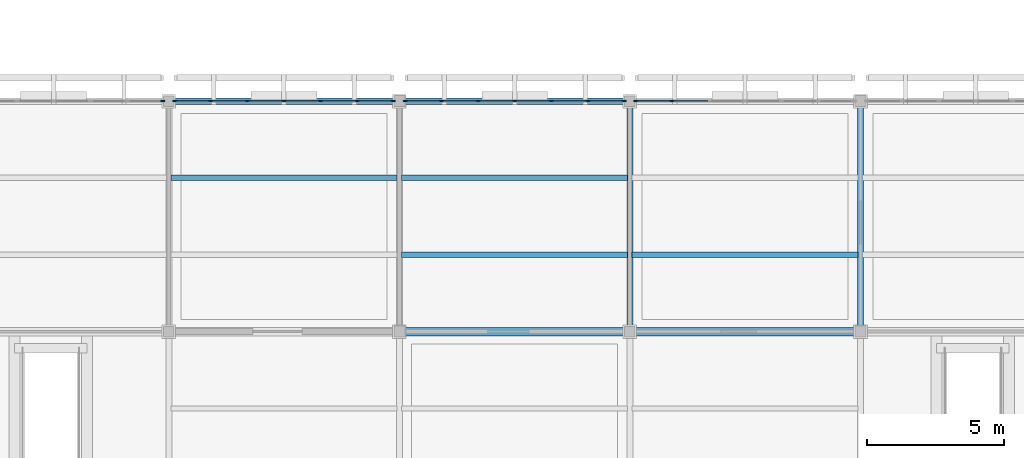
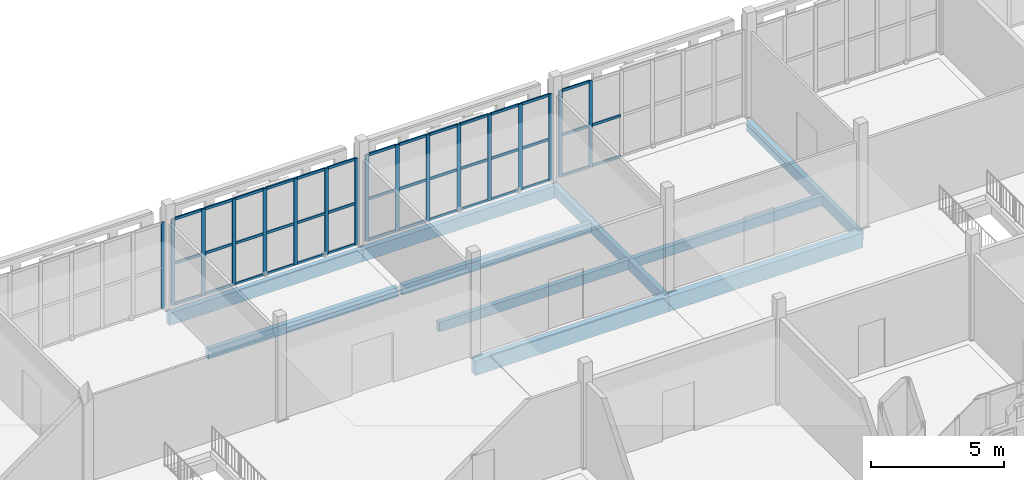
# One storey, part 36 of 203: 58 members, 10 beams, 4 elements without a shape of their own.
"""IFC4 building model written with IfcOpenShell, lengths in metres."""

from ifc_helpers import new_model, si_unit, direction, frame, origin, origin_2d, place, context, subcontext, project, spatial, rectangle, extrude, material, layer, layer_set, material_profile, profile_set, type_object, element, aggregate, save


model = new_model("IFC4")

# Units and contexts
model_context = context("Model", 3, precision=1e-05, world=origin(), true_north=direction((0.0, 1.0)))
body_context = subcontext(model_context, "Body", "Model", "MODEL_VIEW")
ifc_project = project(units=[si_unit("LENGTHUNIT", "METRE"), si_unit("AREAUNIT", "SQUARE_METRE"), si_unit("VOLUMEUNIT", "CUBIC_METRE"), si_unit("PLANEANGLEUNIT", "RADIAN"), si_unit("MASSUNIT", "GRAM", prefix="KILO")], contexts=[model_context])

# Site, building, storey
site_placement = place(None, origin())
site = spatial("IfcSite", under=ifc_project, at=site_placement, CompositionType="ELEMENT")
building_placement = place(site_placement, origin())
building = spatial("IfcBuilding", under=site, at=building_placement, Name="Varnapada Polytechnic", CompositionType="ELEMENT")
storey_placement = place(building_placement, frame((0.0, 0.0, 4.800048828125)))
storey = spatial("IfcBuildingStorey", under=building, at=storey_placement, Name="L01", CompositionType="ELEMENT", Elevation=4.800048828125)

# Beams
ifc_material_1 = material(Name="Glulam GL32h", Category="wood")
ifc_material_profile_1 = material_profile(ifc_material_1, rectangle(XDim=0.199951171875, YDim=0.43994140625, at=origin_2d()), Name="GL 200x440")
ifc_profile_set_1 = profile_set([ifc_material_profile_1], Name="Glulam GL32h")
beam_type_1 = type_object("IfcBeamType", Name="Heavy laboratory glulam joist GJ-03 (GL 200x440)", PredefinedType="JOIST", material=ifc_profile_set_1)
for number, where, z_axis, x_axis, name in (
    (1, (84.080078125, 39.199951171875, -0.469970703125), (1.0, 0.0, 0.0), (0.0, 1.0, 0.0), "L01 floor joist 11/5.2"),
    (2, (92.47998046875, 36.39990234375, -0.469970703125), (1.0, 0.0, 0.0), (0.0, 1.0, 0.0), "L01 floor joist 12/5.1"),
    (3, (92.47998046875, 39.199951171875, -0.469970703125), (1.0, 0.0, 0.0), (0.0, 1.0, 0.0), "L01 floor joist 12/5.2"),
):
    element("IfcBeam", number, at=place(storey_placement, frame(where, z_axis=z_axis, x_axis=x_axis)), inside=storey, type_object=beam_type_1, Name=name, PredefinedType="JOIST", context=body_context, shape_type="SweptSolid", body=[
        extrude(rectangle(XDim=0.199951171875, YDim=0.43994140625, at=origin_2d()), origin(), (0.0, 0.0, 1.0), 8.239990234375),
    ])
beam_1_placement = place(storey_placement, frame((100.8798828125, 36.39990234375, -0.469970703125), z_axis=(1.0, 0.0, 0.0), x_axis=(0.0, 1.0, 0.0)))
element("IfcBeam", 4, at=beam_1_placement, inside=storey, type_object=beam_type_1, Name="L01 floor joist 13/5.1", PredefinedType="JOIST", context=body_context, shape_type="SweptSolid", body=[
    extrude(rectangle(XDim=0.199951171875, YDim=0.43994140625, at=origin_2d()), origin(), (0.0, 0.0, 1.0), 8.240234375),
])

# Curtain wall, member
ifc_material_2 = material(Name="Double low-E laminated glass", Category="glass")
ifc_layer = layer(ifc_material_2, 0.159912109375)
ifc_layer_set = layer_set([ifc_layer], Name="Double low-E laminated glass")
curtain_wall_type = type_object("IfcCurtainWallType", Name="Curtain Wall CW-01", PredefinedType="NOTDEFINED", material=ifc_layer_set)
curtain_wall_1_placement = place(storey_placement, origin())
curtain_wall_1 = element("IfcCurtainWall", 5, at=curtain_wall_1_placement, inside=storey, type_object=curtain_wall_type, Name="L01 unitised curtain wall CW-01 (65)", PredefinedType="NOTDEFINED")
ifc_material_3 = material(Name="Anodised aluminium", Category="aluminium")
ifc_material_profile_2 = material_profile(ifc_material_3, rectangle(XDim=0.06005859375, YDim=0.159912109375, at=origin_2d()), Name="ALU M60x160")
ifc_profile_set_2 = profile_set([ifc_material_profile_2], Name="Anodised aluminium")
member_type_1 = type_object("IfcMemberType", Name="Mullion M-01", PredefinedType="MULLION", material=ifc_profile_set_2)
member_1_placement = place(storey_placement, frame((83.780029296875, 42.0, 0.0), z_axis=(0.0, 0.0, 1.0), x_axis=(0.0, 1.0, 0.0)))
member_1 = element("IfcMember", 6, at=member_1_placement, type_object=member_type_1, Name="CW-01 mullion 7", PredefinedType="MULLION", context=body_context, shape_type="SweptSolid", body=[
    extrude(rectangle(XDim=0.06005859375, YDim=0.159912109375, at=origin_2d()), origin(), (0.0, 0.0, 1.0), 3.9599609375),
])
aggregate(curtain_wall_1, [member_1])

# Curtain wall, members
curtain_wall_2_placement = place(storey_placement, origin())
curtain_wall_2 = element("IfcCurtainWall", 7, at=curtain_wall_2_placement, inside=storey, type_object=curtain_wall_type, Name="L01 unitised curtain wall CW-01 (70)", PredefinedType="NOTDEFINED")
member_2_placement = place(storey_placement, frame((84.219970703125, 42.0, 0.0), z_axis=(0.0, 0.0, 1.0), x_axis=(0.0, 1.0, 0.0)))
member_2 = element("IfcMember", 8, at=member_2_placement, type_object=member_type_1, Name="CW-01 mullion 1", PredefinedType="MULLION", context=body_context, shape_type="SweptSolid", body=[
    extrude(rectangle(XDim=0.06005859375, YDim=0.159912109375, at=origin_2d()), origin(), (0.0, 0.0, 1.0), 3.9599609375),
])
member_3_placement = place(storey_placement, frame((85.52490234375, 42.0, 0.0), z_axis=(0.0, 0.0, 1.0), x_axis=(0.0, 1.0, 0.0)))
member_3 = element("IfcMember", 9, at=member_3_placement, type_object=member_type_1, Name="CW-01 mullion 2", PredefinedType="MULLION", context=body_context, shape_type="SweptSolid", body=[
    extrude(rectangle(XDim=0.06005859375, YDim=0.159912109375, at=origin_2d()), origin(), (0.0, 0.0, 1.0), 3.9599609375),
])
member_4_placement = place(storey_placement, frame((86.860107421875, 42.0, 0.0), z_axis=(0.0, 0.0, 1.0), x_axis=(0.0, 1.0, 0.0)))
member_4 = element("IfcMember", 10, at=member_4_placement, type_object=member_type_1, Name="CW-01 mullion 3", PredefinedType="MULLION", context=body_context, shape_type="SweptSolid", body=[
    extrude(rectangle(XDim=0.06005859375, YDim=0.159912109375, at=origin_2d()), origin(), (0.0, 0.0, 1.0), 3.9599609375),
])
member_5_placement = place(storey_placement, frame((88.195068359375, 42.0, 0.0), z_axis=(0.0, 0.0, 1.0), x_axis=(0.0, 1.0, 0.0)))
member_5 = element("IfcMember", 11, at=member_5_placement, type_object=member_type_1, Name="CW-01 mullion 4", PredefinedType="MULLION", context=body_context, shape_type="SweptSolid", body=[
    extrude(rectangle(XDim=0.06005859375, YDim=0.159912109375, at=origin_2d()), origin(), (0.0, 0.0, 1.0), 3.9599609375),
])
member_6_placement = place(storey_placement, frame((89.530029296875, 42.0, 0.0), z_axis=(0.0, 0.0, 1.0), x_axis=(0.0, 1.0, 0.0)))
member_6 = element("IfcMember", 12, at=member_6_placement, type_object=member_type_1, Name="CW-01 mullion 5", PredefinedType="MULLION", context=body_context, shape_type="SweptSolid", body=[
    extrude(rectangle(XDim=0.06005859375, YDim=0.159912109375, at=origin_2d()), origin(), (0.0, 0.0, 1.0), 3.9599609375),
])
member_7_placement = place(storey_placement, frame((90.864990234375, 42.0, 0.0), z_axis=(0.0, 0.0, 1.0), x_axis=(0.0, 1.0, 0.0)))
member_7 = element("IfcMember", 13, at=member_7_placement, type_object=member_type_1, Name="CW-01 mullion 6", PredefinedType="MULLION", context=body_context, shape_type="SweptSolid", body=[
    extrude(rectangle(XDim=0.06005859375, YDim=0.159912109375, at=origin_2d()), origin(), (0.0, 0.0, 1.0), 3.9599609375),
])
member_8_placement = place(storey_placement, frame((92.169921875, 42.0, 0.0), z_axis=(0.0, 0.0, 1.0), x_axis=(0.0, 1.0, 0.0)))
member_8 = element("IfcMember", 14, at=member_8_placement, type_object=member_type_1, Name="CW-01 mullion 7", PredefinedType="MULLION", context=body_context, shape_type="SweptSolid", body=[
    extrude(rectangle(XDim=0.06005859375, YDim=0.159912109375, at=origin_2d()), origin(), (0.0, 0.0, 1.0), 3.9599609375),
])

curtain_wall_3_placement = place(storey_placement, origin())
curtain_wall_3 = element("IfcCurtainWall", 15, at=curtain_wall_3_placement, inside=storey, type_object=curtain_wall_type, Name="L01 unitised curtain wall CW-01 (75)", PredefinedType="NOTDEFINED")
member_9_placement = place(storey_placement, frame((92.6298828125, 42.0, 0.0), z_axis=(0.0, 0.0, 1.0), x_axis=(0.0, 1.0, 0.0)))
member_9 = element("IfcMember", 16, at=member_9_placement, type_object=member_type_1, Name="CW-01 mullion 1", PredefinedType="MULLION", context=body_context, shape_type="SweptSolid", body=[
    extrude(rectangle(XDim=0.06005859375, YDim=0.159912109375, at=origin_2d()), origin(), (0.0, 0.0, 1.0), 3.9599609375),
])
member_10_placement = place(storey_placement, frame((93.93505859375, 42.0, 0.0), z_axis=(0.0, 0.0, 1.0), x_axis=(0.0, 1.0, 0.0)))
member_10 = element("IfcMember", 17, at=member_10_placement, type_object=member_type_1, Name="CW-01 mullion 2", PredefinedType="MULLION", context=body_context, shape_type="SweptSolid", body=[
    extrude(rectangle(XDim=0.06005859375, YDim=0.159912109375, at=origin_2d()), origin(), (0.0, 0.0, 1.0), 3.9599609375),
])
member_11_placement = place(storey_placement, frame((95.27001953125, 42.0, 0.0), z_axis=(0.0, 0.0, 1.0), x_axis=(0.0, 1.0, 0.0)))
member_11 = element("IfcMember", 18, at=member_11_placement, type_object=member_type_1, Name="CW-01 mullion 3", PredefinedType="MULLION", context=body_context, shape_type="SweptSolid", body=[
    extrude(rectangle(XDim=0.06005859375, YDim=0.159912109375, at=origin_2d()), origin(), (0.0, 0.0, 1.0), 3.9599609375),
])
member_12_placement = place(storey_placement, frame((96.60498046875, 42.0, 0.0), z_axis=(0.0, 0.0, 1.0), x_axis=(0.0, 1.0, 0.0)))
member_12 = element("IfcMember", 19, at=member_12_placement, type_object=member_type_1, Name="CW-01 mullion 4", PredefinedType="MULLION", context=body_context, shape_type="SweptSolid", body=[
    extrude(rectangle(XDim=0.06005859375, YDim=0.159912109375, at=origin_2d()), origin(), (0.0, 0.0, 1.0), 3.9599609375),
])
member_13_placement = place(storey_placement, frame((97.93994140625, 42.0, 0.0), z_axis=(0.0, 0.0, 1.0), x_axis=(0.0, 1.0, 0.0)))
member_13 = element("IfcMember", 20, at=member_13_placement, type_object=member_type_1, Name="CW-01 mullion 5", PredefinedType="MULLION", context=body_context, shape_type="SweptSolid", body=[
    extrude(rectangle(XDim=0.06005859375, YDim=0.159912109375, at=origin_2d()), origin(), (0.0, 0.0, 1.0), 3.9599609375),
])
member_14_placement = place(storey_placement, frame((99.27490234375, 42.0, 0.0), z_axis=(0.0, 0.0, 1.0), x_axis=(0.0, 1.0, 0.0)))
member_14 = element("IfcMember", 21, at=member_14_placement, type_object=member_type_1, Name="CW-01 mullion 6", PredefinedType="MULLION", context=body_context, shape_type="SweptSolid", body=[
    extrude(rectangle(XDim=0.06005859375, YDim=0.159912109375, at=origin_2d()), origin(), (0.0, 0.0, 1.0), 3.9599609375),
])
member_15_placement = place(storey_placement, frame((100.580078125, 42.0, 0.0), z_axis=(0.0, 0.0, 1.0), x_axis=(0.0, 1.0, 0.0)))
member_15 = element("IfcMember", 22, at=member_15_placement, type_object=member_type_1, Name="CW-01 mullion 7", PredefinedType="MULLION", context=body_context, shape_type="SweptSolid", body=[
    extrude(rectangle(XDim=0.06005859375, YDim=0.159912109375, at=origin_2d()), origin(), (0.0, 0.0, 1.0), 3.9599609375),
])

curtain_wall_4_placement = place(storey_placement, origin())
curtain_wall_4 = element("IfcCurtainWall", 23, at=curtain_wall_4_placement, inside=storey, type_object=curtain_wall_type, Name="L01 unitised curtain wall CW-01 (79)", PredefinedType="NOTDEFINED")
member_16_placement = place(storey_placement, frame((101.02001953125, 42.0, 0.0), z_axis=(0.0, 0.0, 1.0), x_axis=(0.0, 1.0, 0.0)))
member_16 = element("IfcMember", 24, at=member_16_placement, type_object=member_type_1, Name="CW-01 mullion 1", PredefinedType="MULLION", context=body_context, shape_type="SweptSolid", body=[
    extrude(rectangle(XDim=0.06005859375, YDim=0.159912109375, at=origin_2d()), origin(), (0.0, 0.0, 1.0), 3.9599609375),
])
member_17_placement = place(storey_placement, frame((102.324951171875, 42.0, 0.0), z_axis=(0.0, 0.0, 1.0), x_axis=(0.0, 1.0, 0.0)))
member_17 = element("IfcMember", 25, at=member_17_placement, type_object=member_type_1, Name="CW-01 mullion 2", PredefinedType="MULLION", context=body_context, shape_type="SweptSolid", body=[
    extrude(rectangle(XDim=0.06005859375, YDim=0.159912109375, at=origin_2d()), origin(), (0.0, 0.0, 1.0), 3.9599609375),
])

# Beams
ifc_material_profile_3 = material_profile(ifc_material_1, rectangle(XDim=0.239990234375, YDim=0.56005859375, at=origin_2d()), Name="GL 240x560")
ifc_profile_set_3 = profile_set([ifc_material_profile_3], Name="Glulam GL32h")
beam_type_2 = type_object("IfcBeamType", Name="Perimeter glulam spandrel beam SP-02 (GL 240x560)", PredefinedType="SPANDREL", material=ifc_profile_set_3)
beam_2_placement = place(storey_placement, frame((84.0, 42.0, -0.530029296875), z_axis=(1.0, 0.0, 0.0), x_axis=(0.0, 1.0, 0.0)))
element("IfcBeam", 26, at=beam_2_placement, inside=storey, type_object=beam_type_2, Name="L01 beam X 11-12 at Y6", PredefinedType="SPANDREL", context=body_context, shape_type="SweptSolid", body=[
    extrude(rectangle(XDim=0.239990234375, YDim=0.56005859375, at=origin_2d()), origin(), (0.0, 0.0, 1.0), 8.39990234375),
])
beam_3_placement = place(storey_placement, frame((92.39990234375, 42.0, -0.530029296875), z_axis=(1.0, 0.0, 0.0), x_axis=(0.0, 1.0, 0.0)))
element("IfcBeam", 27, at=beam_3_placement, inside=storey, type_object=beam_type_2, Name="L01 beam X 12-13 at Y6", PredefinedType="SPANDREL", context=body_context, shape_type="SweptSolid", body=[
    extrude(rectangle(XDim=0.239990234375, YDim=0.56005859375, at=origin_2d()), origin(), (0.0, 0.0, 1.0), 8.400146484375),
])

# Member
ifc_material_profile_4 = material_profile(ifc_material_3, rectangle(XDim=0.06005859375, YDim=0.1201171875, at=origin_2d()), Name="ALU T60x120")
ifc_profile_set_4 = profile_set([ifc_material_profile_4], Name="Anodised aluminium")
member_type_2 = type_object("IfcMemberType", Name="Transom T-01", PredefinedType="USERDEFINED", material=ifc_profile_set_4)
member_18_placement = place(storey_placement, frame((84.25, 42.0, 0.030029296875), z_axis=(1.0, 0.0, 0.0), x_axis=(0.0, 1.0, 0.0)))
member_18 = element("IfcMember", 28, at=member_18_placement, type_object=member_type_2, Name="CW-01 transom 1.1", ObjectType="TRANSOM", PredefinedType="USERDEFINED", context=body_context, shape_type="SweptSolid", body=[
    extrude(rectangle(XDim=0.06005859375, YDim=0.1201171875, at=origin_2d()), origin(), (0.0, 0.0, 1.0), 1.2451171875),
])

member_19_placement = place(storey_placement, frame((84.25, 42.0, 1.900634765625), z_axis=(1.0, 0.0, 0.0), x_axis=(0.0, 1.0, 0.0)))
member_19 = element("IfcMember", 29, at=member_19_placement, type_object=member_type_2, Name="CW-01 transom 1.2", ObjectType="TRANSOM", PredefinedType="USERDEFINED", context=body_context, shape_type="SweptSolid", body=[
    extrude(rectangle(XDim=0.06005859375, YDim=0.1201171875, at=origin_2d()), origin(), (0.0, 0.0, 1.0), 1.2451171875),
])

member_20_placement = place(storey_placement, frame((84.25, 42.0, 3.929931640625), z_axis=(1.0, 0.0, 0.0), x_axis=(0.0, 1.0, 0.0)))
member_20 = element("IfcMember", 30, at=member_20_placement, type_object=member_type_2, Name="CW-01 transom 1.3", ObjectType="TRANSOM", PredefinedType="USERDEFINED", context=body_context, shape_type="SweptSolid", body=[
    extrude(rectangle(XDim=0.06005859375, YDim=0.1201171875, at=origin_2d()), origin(), (0.0, 0.0, 1.0), 1.2451171875),
])

member_21_placement = place(storey_placement, frame((85.554931640625, 42.0, 0.030029296875), z_axis=(1.0, 0.0, 0.0), x_axis=(0.0, 1.0, 0.0)))
member_21 = element("IfcMember", 31, at=member_21_placement, type_object=member_type_2, Name="CW-01 transom 2.1", ObjectType="TRANSOM", PredefinedType="USERDEFINED", context=body_context, shape_type="SweptSolid", body=[
    extrude(rectangle(XDim=0.06005859375, YDim=0.1201171875, at=origin_2d()), origin(), (0.0, 0.0, 1.0), 1.275146484375),
])

member_22_placement = place(storey_placement, frame((85.554931640625, 42.0, 1.900634765625), z_axis=(1.0, 0.0, 0.0), x_axis=(0.0, 1.0, 0.0)))
member_22 = element("IfcMember", 32, at=member_22_placement, type_object=member_type_2, Name="CW-01 transom 2.2", ObjectType="TRANSOM", PredefinedType="USERDEFINED", context=body_context, shape_type="SweptSolid", body=[
    extrude(rectangle(XDim=0.06005859375, YDim=0.1201171875, at=origin_2d()), origin(), (0.0, 0.0, 1.0), 1.275146484375),
])

member_23_placement = place(storey_placement, frame((85.554931640625, 42.0, 3.929931640625), z_axis=(1.0, 0.0, 0.0), x_axis=(0.0, 1.0, 0.0)))
member_23 = element("IfcMember", 33, at=member_23_placement, type_object=member_type_2, Name="CW-01 transom 2.3", ObjectType="TRANSOM", PredefinedType="USERDEFINED", context=body_context, shape_type="SweptSolid", body=[
    extrude(rectangle(XDim=0.06005859375, YDim=0.1201171875, at=origin_2d()), origin(), (0.0, 0.0, 1.0), 1.275146484375),
])

member_24_placement = place(storey_placement, frame((86.889892578125, 42.0, 0.030029296875), z_axis=(1.0, 0.0, 0.0), x_axis=(0.0, 1.0, 0.0)))
member_24 = element("IfcMember", 34, at=member_24_placement, type_object=member_type_2, Name="CW-01 transom 3.1", ObjectType="TRANSOM", PredefinedType="USERDEFINED", context=body_context, shape_type="SweptSolid", body=[
    extrude(rectangle(XDim=0.06005859375, YDim=0.1201171875, at=origin_2d()), origin(), (0.0, 0.0, 1.0), 1.275146484375),
])

member_25_placement = place(storey_placement, frame((86.889892578125, 42.0, 1.900634765625), z_axis=(1.0, 0.0, 0.0), x_axis=(0.0, 1.0, 0.0)))
member_25 = element("IfcMember", 35, at=member_25_placement, type_object=member_type_2, Name="CW-01 transom 3.2", ObjectType="TRANSOM", PredefinedType="USERDEFINED", context=body_context, shape_type="SweptSolid", body=[
    extrude(rectangle(XDim=0.06005859375, YDim=0.1201171875, at=origin_2d()), origin(), (0.0, 0.0, 1.0), 1.275146484375),
])

member_26_placement = place(storey_placement, frame((86.889892578125, 42.0, 3.929931640625), z_axis=(1.0, 0.0, 0.0), x_axis=(0.0, 1.0, 0.0)))
member_26 = element("IfcMember", 36, at=member_26_placement, type_object=member_type_2, Name="CW-01 transom 3.3", ObjectType="TRANSOM", PredefinedType="USERDEFINED", context=body_context, shape_type="SweptSolid", body=[
    extrude(rectangle(XDim=0.06005859375, YDim=0.1201171875, at=origin_2d()), origin(), (0.0, 0.0, 1.0), 1.275146484375),
])

member_27_placement = place(storey_placement, frame((88.22509765625, 42.0, 0.030029296875), z_axis=(1.0, 0.0, 0.0), x_axis=(0.0, 1.0, 0.0)))
member_27 = element("IfcMember", 37, at=member_27_placement, type_object=member_type_2, Name="CW-01 transom 4.1", ObjectType="TRANSOM", PredefinedType="USERDEFINED", context=body_context, shape_type="SweptSolid", body=[
    extrude(rectangle(XDim=0.06005859375, YDim=0.1201171875, at=origin_2d()), origin(), (0.0, 0.0, 1.0), 1.27490234375),
])

member_28_placement = place(storey_placement, frame((88.22509765625, 42.0, 1.900634765625), z_axis=(1.0, 0.0, 0.0), x_axis=(0.0, 1.0, 0.0)))
member_28 = element("IfcMember", 38, at=member_28_placement, type_object=member_type_2, Name="CW-01 transom 4.2", ObjectType="TRANSOM", PredefinedType="USERDEFINED", context=body_context, shape_type="SweptSolid", body=[
    extrude(rectangle(XDim=0.06005859375, YDim=0.1201171875, at=origin_2d()), origin(), (0.0, 0.0, 1.0), 1.27490234375),
])

member_29_placement = place(storey_placement, frame((88.22509765625, 42.0, 3.929931640625), z_axis=(1.0, 0.0, 0.0), x_axis=(0.0, 1.0, 0.0)))
member_29 = element("IfcMember", 39, at=member_29_placement, type_object=member_type_2, Name="CW-01 transom 4.3", ObjectType="TRANSOM", PredefinedType="USERDEFINED", context=body_context, shape_type="SweptSolid", body=[
    extrude(rectangle(XDim=0.06005859375, YDim=0.1201171875, at=origin_2d()), origin(), (0.0, 0.0, 1.0), 1.27490234375),
])

member_30_placement = place(storey_placement, frame((89.56005859375, 42.0, 0.030029296875), z_axis=(1.0, 0.0, 0.0), x_axis=(0.0, 1.0, 0.0)))
member_30 = element("IfcMember", 40, at=member_30_placement, type_object=member_type_2, Name="CW-01 transom 5.1", ObjectType="TRANSOM", PredefinedType="USERDEFINED", context=body_context, shape_type="SweptSolid", body=[
    extrude(rectangle(XDim=0.06005859375, YDim=0.1201171875, at=origin_2d()), origin(), (0.0, 0.0, 1.0), 1.27490234375),
])

member_31_placement = place(storey_placement, frame((89.56005859375, 42.0, 1.900634765625), z_axis=(1.0, 0.0, 0.0), x_axis=(0.0, 1.0, 0.0)))
member_31 = element("IfcMember", 41, at=member_31_placement, type_object=member_type_2, Name="CW-01 transom 5.2", ObjectType="TRANSOM", PredefinedType="USERDEFINED", context=body_context, shape_type="SweptSolid", body=[
    extrude(rectangle(XDim=0.06005859375, YDim=0.1201171875, at=origin_2d()), origin(), (0.0, 0.0, 1.0), 1.27490234375),
])

member_32_placement = place(storey_placement, frame((89.56005859375, 42.0, 3.929931640625), z_axis=(1.0, 0.0, 0.0), x_axis=(0.0, 1.0, 0.0)))
member_32 = element("IfcMember", 42, at=member_32_placement, type_object=member_type_2, Name="CW-01 transom 5.3", ObjectType="TRANSOM", PredefinedType="USERDEFINED", context=body_context, shape_type="SweptSolid", body=[
    extrude(rectangle(XDim=0.06005859375, YDim=0.1201171875, at=origin_2d()), origin(), (0.0, 0.0, 1.0), 1.27490234375),
])

member_33_placement = place(storey_placement, frame((90.89501953125, 42.0, 0.030029296875), z_axis=(1.0, 0.0, 0.0), x_axis=(0.0, 1.0, 0.0)))
member_33 = element("IfcMember", 43, at=member_33_placement, type_object=member_type_2, Name="CW-01 transom 6.1", ObjectType="TRANSOM", PredefinedType="USERDEFINED", context=body_context, shape_type="SweptSolid", body=[
    extrude(rectangle(XDim=0.06005859375, YDim=0.1201171875, at=origin_2d()), origin(), (0.0, 0.0, 1.0), 1.244873046875),
])

member_34_placement = place(storey_placement, frame((90.89501953125, 42.0, 1.900634765625), z_axis=(1.0, 0.0, 0.0), x_axis=(0.0, 1.0, 0.0)))
member_34 = element("IfcMember", 44, at=member_34_placement, type_object=member_type_2, Name="CW-01 transom 6.2", ObjectType="TRANSOM", PredefinedType="USERDEFINED", context=body_context, shape_type="SweptSolid", body=[
    extrude(rectangle(XDim=0.06005859375, YDim=0.1201171875, at=origin_2d()), origin(), (0.0, 0.0, 1.0), 1.244873046875),
])

member_35_placement = place(storey_placement, frame((90.89501953125, 42.0, 3.929931640625), z_axis=(1.0, 0.0, 0.0), x_axis=(0.0, 1.0, 0.0)))
member_35 = element("IfcMember", 45, at=member_35_placement, type_object=member_type_2, Name="CW-01 transom 6.3", ObjectType="TRANSOM", PredefinedType="USERDEFINED", context=body_context, shape_type="SweptSolid", body=[
    extrude(rectangle(XDim=0.06005859375, YDim=0.1201171875, at=origin_2d()), origin(), (0.0, 0.0, 1.0), 1.244873046875),
])

aggregate(curtain_wall_2, [member_2, member_3, member_4, member_5, member_6, member_7, member_8, member_18, member_19, member_20, member_21, member_22, member_23, member_24, member_25, member_26, member_27, member_28, member_29, member_30, member_31, member_32, member_33, member_34, member_35])

member_36_placement = place(storey_placement, frame((92.659912109375, 42.0, 0.030029296875), z_axis=(1.0, 0.0, 0.0), x_axis=(0.0, 1.0, 0.0)))
member_36 = element("IfcMember", 46, at=member_36_placement, type_object=member_type_2, Name="CW-01 transom 1.1", ObjectType="TRANSOM", PredefinedType="USERDEFINED", context=body_context, shape_type="SweptSolid", body=[
    extrude(rectangle(XDim=0.06005859375, YDim=0.1201171875, at=origin_2d()), origin(), (0.0, 0.0, 1.0), 1.2451171875),
])

member_37_placement = place(storey_placement, frame((92.659912109375, 42.0, 1.900634765625), z_axis=(1.0, 0.0, 0.0), x_axis=(0.0, 1.0, 0.0)))
member_37 = element("IfcMember", 47, at=member_37_placement, type_object=member_type_2, Name="CW-01 transom 1.2", ObjectType="TRANSOM", PredefinedType="USERDEFINED", context=body_context, shape_type="SweptSolid", body=[
    extrude(rectangle(XDim=0.06005859375, YDim=0.1201171875, at=origin_2d()), origin(), (0.0, 0.0, 1.0), 1.2451171875),
])

member_38_placement = place(storey_placement, frame((92.659912109375, 42.0, 3.929931640625), z_axis=(1.0, 0.0, 0.0), x_axis=(0.0, 1.0, 0.0)))
member_38 = element("IfcMember", 48, at=member_38_placement, type_object=member_type_2, Name="CW-01 transom 1.3", ObjectType="TRANSOM", PredefinedType="USERDEFINED", context=body_context, shape_type="SweptSolid", body=[
    extrude(rectangle(XDim=0.06005859375, YDim=0.1201171875, at=origin_2d()), origin(), (0.0, 0.0, 1.0), 1.2451171875),
])

member_39_placement = place(storey_placement, frame((93.965087890625, 42.0, 0.030029296875), z_axis=(1.0, 0.0, 0.0), x_axis=(0.0, 1.0, 0.0)))
member_39 = element("IfcMember", 49, at=member_39_placement, type_object=member_type_2, Name="CW-01 transom 2.1", ObjectType="TRANSOM", PredefinedType="USERDEFINED", context=body_context, shape_type="SweptSolid", body=[
    extrude(rectangle(XDim=0.06005859375, YDim=0.1201171875, at=origin_2d()), origin(), (0.0, 0.0, 1.0), 1.27490234375),
])

member_40_placement = place(storey_placement, frame((93.965087890625, 42.0, 1.900634765625), z_axis=(1.0, 0.0, 0.0), x_axis=(0.0, 1.0, 0.0)))
member_40 = element("IfcMember", 50, at=member_40_placement, type_object=member_type_2, Name="CW-01 transom 2.2", ObjectType="TRANSOM", PredefinedType="USERDEFINED", context=body_context, shape_type="SweptSolid", body=[
    extrude(rectangle(XDim=0.06005859375, YDim=0.1201171875, at=origin_2d()), origin(), (0.0, 0.0, 1.0), 1.27490234375),
])

member_41_placement = place(storey_placement, frame((93.965087890625, 42.0, 3.929931640625), z_axis=(1.0, 0.0, 0.0), x_axis=(0.0, 1.0, 0.0)))
member_41 = element("IfcMember", 51, at=member_41_placement, type_object=member_type_2, Name="CW-01 transom 2.3", ObjectType="TRANSOM", PredefinedType="USERDEFINED", context=body_context, shape_type="SweptSolid", body=[
    extrude(rectangle(XDim=0.06005859375, YDim=0.1201171875, at=origin_2d()), origin(), (0.0, 0.0, 1.0), 1.27490234375),
])

member_42_placement = place(storey_placement, frame((95.300048828125, 42.0, 0.030029296875), z_axis=(1.0, 0.0, 0.0), x_axis=(0.0, 1.0, 0.0)))
member_42 = element("IfcMember", 52, at=member_42_placement, type_object=member_type_2, Name="CW-01 transom 3.1", ObjectType="TRANSOM", PredefinedType="USERDEFINED", context=body_context, shape_type="SweptSolid", body=[
    extrude(rectangle(XDim=0.06005859375, YDim=0.1201171875, at=origin_2d()), origin(), (0.0, 0.0, 1.0), 1.27490234375),
])

member_43_placement = place(storey_placement, frame((95.300048828125, 42.0, 1.900634765625), z_axis=(1.0, 0.0, 0.0), x_axis=(0.0, 1.0, 0.0)))
member_43 = element("IfcMember", 53, at=member_43_placement, type_object=member_type_2, Name="CW-01 transom 3.2", ObjectType="TRANSOM", PredefinedType="USERDEFINED", context=body_context, shape_type="SweptSolid", body=[
    extrude(rectangle(XDim=0.06005859375, YDim=0.1201171875, at=origin_2d()), origin(), (0.0, 0.0, 1.0), 1.27490234375),
])

member_44_placement = place(storey_placement, frame((95.300048828125, 42.0, 3.929931640625), z_axis=(1.0, 0.0, 0.0), x_axis=(0.0, 1.0, 0.0)))
member_44 = element("IfcMember", 54, at=member_44_placement, type_object=member_type_2, Name="CW-01 transom 3.3", ObjectType="TRANSOM", PredefinedType="USERDEFINED", context=body_context, shape_type="SweptSolid", body=[
    extrude(rectangle(XDim=0.06005859375, YDim=0.1201171875, at=origin_2d()), origin(), (0.0, 0.0, 1.0), 1.27490234375),
])

member_45_placement = place(storey_placement, frame((96.635009765625, 42.0, 0.030029296875), z_axis=(1.0, 0.0, 0.0), x_axis=(0.0, 1.0, 0.0)))
member_45 = element("IfcMember", 55, at=member_45_placement, type_object=member_type_2, Name="CW-01 transom 4.1", ObjectType="TRANSOM", PredefinedType="USERDEFINED", context=body_context, shape_type="SweptSolid", body=[
    extrude(rectangle(XDim=0.06005859375, YDim=0.1201171875, at=origin_2d()), origin(), (0.0, 0.0, 1.0), 1.27490234375),
])

member_46_placement = place(storey_placement, frame((96.635009765625, 42.0, 1.900634765625), z_axis=(1.0, 0.0, 0.0), x_axis=(0.0, 1.0, 0.0)))
member_46 = element("IfcMember", 56, at=member_46_placement, type_object=member_type_2, Name="CW-01 transom 4.2", ObjectType="TRANSOM", PredefinedType="USERDEFINED", context=body_context, shape_type="SweptSolid", body=[
    extrude(rectangle(XDim=0.06005859375, YDim=0.1201171875, at=origin_2d()), origin(), (0.0, 0.0, 1.0), 1.27490234375),
])

member_47_placement = place(storey_placement, frame((96.635009765625, 42.0, 3.929931640625), z_axis=(1.0, 0.0, 0.0), x_axis=(0.0, 1.0, 0.0)))
member_47 = element("IfcMember", 57, at=member_47_placement, type_object=member_type_2, Name="CW-01 transom 4.3", ObjectType="TRANSOM", PredefinedType="USERDEFINED", context=body_context, shape_type="SweptSolid", body=[
    extrude(rectangle(XDim=0.06005859375, YDim=0.1201171875, at=origin_2d()), origin(), (0.0, 0.0, 1.0), 1.27490234375),
])

member_48_placement = place(storey_placement, frame((97.969970703125, 42.0, 0.030029296875), z_axis=(1.0, 0.0, 0.0), x_axis=(0.0, 1.0, 0.0)))
member_48 = element("IfcMember", 58, at=member_48_placement, type_object=member_type_2, Name="CW-01 transom 5.1", ObjectType="TRANSOM", PredefinedType="USERDEFINED", context=body_context, shape_type="SweptSolid", body=[
    extrude(rectangle(XDim=0.06005859375, YDim=0.1201171875, at=origin_2d()), origin(), (0.0, 0.0, 1.0), 1.275146484375),
])

member_49_placement = place(storey_placement, frame((97.969970703125, 42.0, 1.900634765625), z_axis=(1.0, 0.0, 0.0), x_axis=(0.0, 1.0, 0.0)))
member_49 = element("IfcMember", 59, at=member_49_placement, type_object=member_type_2, Name="CW-01 transom 5.2", ObjectType="TRANSOM", PredefinedType="USERDEFINED", context=body_context, shape_type="SweptSolid", body=[
    extrude(rectangle(XDim=0.06005859375, YDim=0.1201171875, at=origin_2d()), origin(), (0.0, 0.0, 1.0), 1.275146484375),
])

member_50_placement = place(storey_placement, frame((97.969970703125, 42.0, 3.929931640625), z_axis=(1.0, 0.0, 0.0), x_axis=(0.0, 1.0, 0.0)))
member_50 = element("IfcMember", 60, at=member_50_placement, type_object=member_type_2, Name="CW-01 transom 5.3", ObjectType="TRANSOM", PredefinedType="USERDEFINED", context=body_context, shape_type="SweptSolid", body=[
    extrude(rectangle(XDim=0.06005859375, YDim=0.1201171875, at=origin_2d()), origin(), (0.0, 0.0, 1.0), 1.275146484375),
])

member_51_placement = place(storey_placement, frame((99.304931640625, 42.0, 0.030029296875), z_axis=(1.0, 0.0, 0.0), x_axis=(0.0, 1.0, 0.0)))
member_51 = element("IfcMember", 61, at=member_51_placement, type_object=member_type_2, Name="CW-01 transom 6.1", ObjectType="TRANSOM", PredefinedType="USERDEFINED", context=body_context, shape_type="SweptSolid", body=[
    extrude(rectangle(XDim=0.06005859375, YDim=0.1201171875, at=origin_2d()), origin(), (0.0, 0.0, 1.0), 1.2451171875),
])

member_52_placement = place(storey_placement, frame((99.304931640625, 42.0, 1.900634765625), z_axis=(1.0, 0.0, 0.0), x_axis=(0.0, 1.0, 0.0)))
member_52 = element("IfcMember", 62, at=member_52_placement, type_object=member_type_2, Name="CW-01 transom 6.2", ObjectType="TRANSOM", PredefinedType="USERDEFINED", context=body_context, shape_type="SweptSolid", body=[
    extrude(rectangle(XDim=0.06005859375, YDim=0.1201171875, at=origin_2d()), origin(), (0.0, 0.0, 1.0), 1.2451171875),
])

member_53_placement = place(storey_placement, frame((99.304931640625, 42.0, 3.929931640625), z_axis=(1.0, 0.0, 0.0), x_axis=(0.0, 1.0, 0.0)))
member_53 = element("IfcMember", 63, at=member_53_placement, type_object=member_type_2, Name="CW-01 transom 6.3", ObjectType="TRANSOM", PredefinedType="USERDEFINED", context=body_context, shape_type="SweptSolid", body=[
    extrude(rectangle(XDim=0.06005859375, YDim=0.1201171875, at=origin_2d()), origin(), (0.0, 0.0, 1.0), 1.2451171875),
])

aggregate(curtain_wall_3, [member_9, member_10, member_11, member_12, member_13, member_14, member_15, member_36, member_37, member_38, member_39, member_40, member_41, member_42, member_43, member_44, member_45, member_46, member_47, member_48, member_49, member_50, member_51, member_52, member_53])

member_54_placement = place(storey_placement, frame((101.050048828125, 42.0, 0.030029296875), z_axis=(1.0, 0.0, 0.0), x_axis=(0.0, 1.0, 0.0)))
member_54 = element("IfcMember", 64, at=member_54_placement, type_object=member_type_2, Name="CW-01 transom 1.1", ObjectType="TRANSOM", PredefinedType="USERDEFINED", context=body_context, shape_type="SweptSolid", body=[
    extrude(rectangle(XDim=0.06005859375, YDim=0.1201171875, at=origin_2d()), origin(), (0.0, 0.0, 1.0), 1.244873046875),
])

member_55_placement = place(storey_placement, frame((101.050048828125, 42.0, 1.900634765625), z_axis=(1.0, 0.0, 0.0), x_axis=(0.0, 1.0, 0.0)))
member_55 = element("IfcMember", 65, at=member_55_placement, type_object=member_type_2, Name="CW-01 transom 1.2", ObjectType="TRANSOM", PredefinedType="USERDEFINED", context=body_context, shape_type="SweptSolid", body=[
    extrude(rectangle(XDim=0.06005859375, YDim=0.1201171875, at=origin_2d()), origin(), (0.0, 0.0, 1.0), 1.244873046875),
])

member_56_placement = place(storey_placement, frame((101.050048828125, 42.0, 3.929931640625), z_axis=(1.0, 0.0, 0.0), x_axis=(0.0, 1.0, 0.0)))
member_56 = element("IfcMember", 66, at=member_56_placement, type_object=member_type_2, Name="CW-01 transom 1.3", ObjectType="TRANSOM", PredefinedType="USERDEFINED", context=body_context, shape_type="SweptSolid", body=[
    extrude(rectangle(XDim=0.06005859375, YDim=0.1201171875, at=origin_2d()), origin(), (0.0, 0.0, 1.0), 1.244873046875),
])

member_57_placement = place(storey_placement, frame((102.35498046875, 42.0, 0.030029296875), z_axis=(1.0, 0.0, 0.0), x_axis=(0.0, 1.0, 0.0)))
member_57 = element("IfcMember", 67, at=member_57_placement, type_object=member_type_2, Name="CW-01 transom 2.1", ObjectType="TRANSOM", PredefinedType="USERDEFINED", context=body_context, shape_type="SweptSolid", body=[
    extrude(rectangle(XDim=0.06005859375, YDim=0.1201171875, at=origin_2d()), origin(), (0.0, 0.0, 1.0), 1.27490234375),
])

member_58_placement = place(storey_placement, frame((102.35498046875, 42.0, 1.900634765625), z_axis=(1.0, 0.0, 0.0), x_axis=(0.0, 1.0, 0.0)))
member_58 = element("IfcMember", 68, at=member_58_placement, type_object=member_type_2, Name="CW-01 transom 2.2", ObjectType="TRANSOM", PredefinedType="USERDEFINED", context=body_context, shape_type="SweptSolid", body=[
    extrude(rectangle(XDim=0.06005859375, YDim=0.1201171875, at=origin_2d()), origin(), (0.0, 0.0, 1.0), 1.27490234375),
])

aggregate(curtain_wall_4, [member_16, member_17, member_54, member_55, member_56, member_57, member_58])

# Beams
ifc_material_profile_5 = material_profile(ifc_material_1, rectangle(XDim=0.219970703125, YDim=0.47998046875, at=origin_2d()), Name="GL 220x480")
ifc_profile_set_5 = profile_set([ifc_material_profile_5], Name="Glulam GL32h")
beam_type_3 = type_object("IfcBeamType", Name="Upper floor glulam tie beam GB-11 (GL 220x480)", PredefinedType="BEAM", material=ifc_profile_set_5)
for number, where, z_axis, x_axis, name in (
    (69, (100.800048828125, 33.60009765625, -0.489990234375), (0.0, 1.0, 0.0), (-1.0, 0.0, 0.0), "L01 beam Y 5-6 at X13"),
    (70, (109.199951171875, 33.60009765625, -0.489990234375), (0.0, 1.0, 0.0), (-1.0, 0.0, 0.0), "L01 beam Y 5-6 at X14"),
):
    element("IfcBeam", number, at=place(storey_placement, frame(where, z_axis=z_axis, x_axis=x_axis)), inside=storey, type_object=beam_type_3, Name=name, PredefinedType="BEAM", context=body_context, shape_type="SweptSolid", body=[
        extrude(rectangle(XDim=0.219970703125, YDim=0.47998046875, at=origin_2d()), origin(), (0.0, 0.0, 1.0), 8.39990234375),
    ])
ifc_material_profile_6 = material_profile(ifc_material_1, rectangle(XDim=0.300048828125, YDim=0.679931640625, at=origin_2d()), Name="GL 300x680")
ifc_profile_set_6 = profile_set([ifc_material_profile_6], Name="Glulam GL32h")
beam_type_4 = type_object("IfcBeamType", Name="Wet laboratory glulam girder GG-04 (GL 300x680)", PredefinedType="BEAM", material=ifc_profile_set_6)
beam_4_placement = place(storey_placement, frame((92.39990234375, 33.60009765625, -0.590087890625), z_axis=(1.0, 0.0, 0.0), x_axis=(0.0, 1.0, 0.0)))
element("IfcBeam", 71, at=beam_4_placement, inside=storey, type_object=beam_type_4, Name="L01 beam X 12-13 at Y5", PredefinedType="BEAM", context=body_context, shape_type="SweptSolid", body=[
    extrude(rectangle(XDim=0.300048828125, YDim=0.679931640625, at=origin_2d()), origin(), (0.0, 0.0, 1.0), 8.400146484375),
])
beam_5_placement = place(storey_placement, frame((100.800048828125, 33.60009765625, -0.590087890625), z_axis=(1.0, 0.0, 0.0), x_axis=(0.0, 1.0, 0.0)))
element("IfcBeam", 72, at=beam_5_placement, inside=storey, type_object=beam_type_4, Name="L01 beam X 13-14 at Y5", PredefinedType="BEAM", context=body_context, shape_type="SweptSolid", body=[
    extrude(rectangle(XDim=0.300048828125, YDim=0.679931640625, at=origin_2d()), origin(), (0.0, 0.0, 1.0), 8.39990234375),
])

save(model, "model.ifc")
